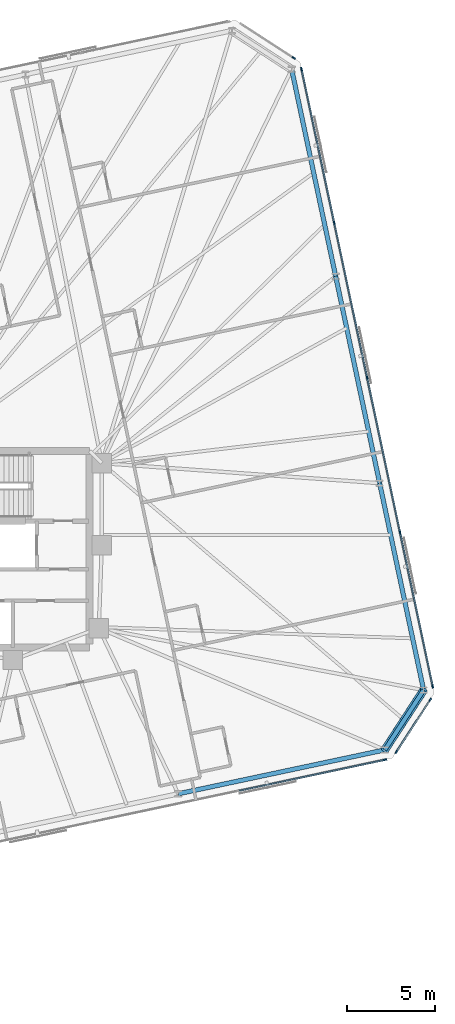
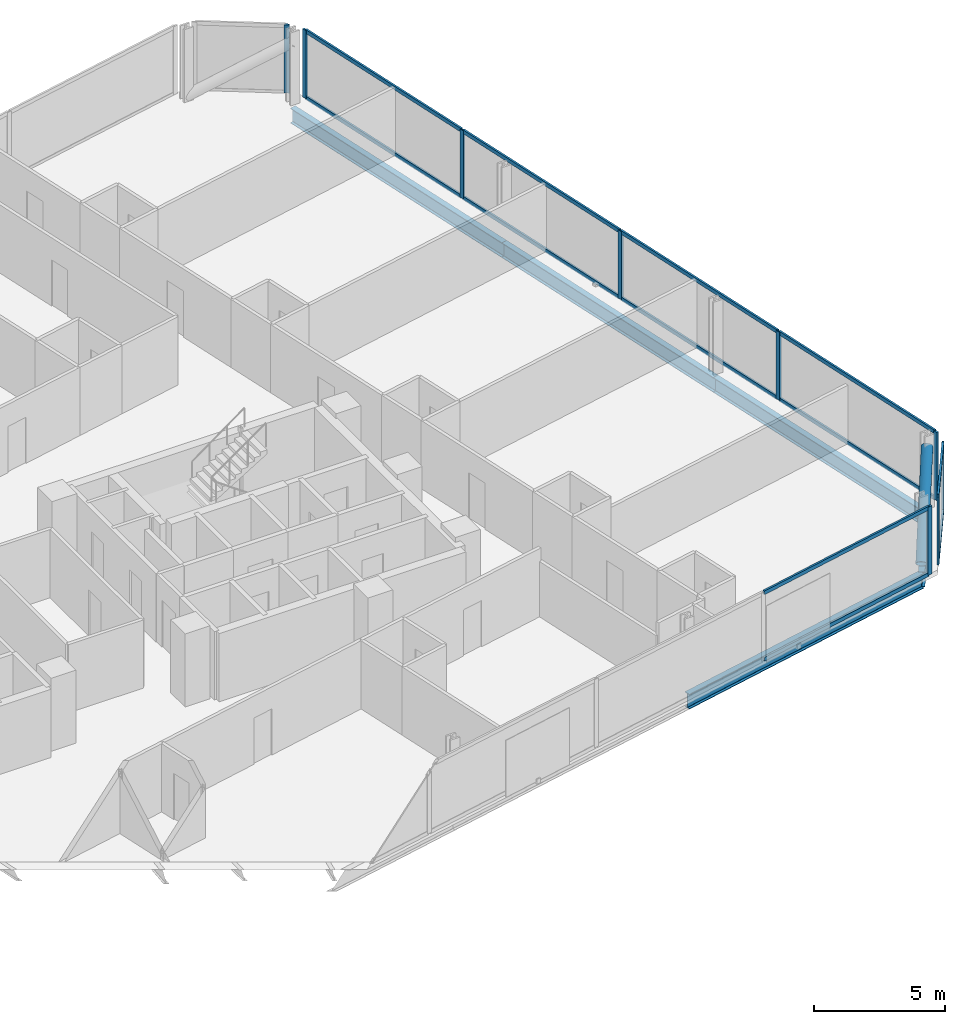
# One storey, part 12 of 19: 22 members, 5 beams, 4 elements without a shape of their own.
"""IFC4 building model written with IfcOpenShell, lengths in metres."""

from ifc_helpers import new_model, si_unit, direction, frame, origin, origin_2d, place, context, subcontext, project, spatial, rectangle, hollow_circle, i_section, extrude, material, material_profile, profile_set, type_object, element, aggregate, save


model = new_model("IFC4")

# Units and contexts
model_context = context("Model", 3, precision=1e-05, world=origin(), true_north=direction((0.0, 1.0)))
body_context = subcontext(model_context, "Body", "Model", "MODEL_VIEW")
ifc_project = project(units=[si_unit("LENGTHUNIT", "METRE"), si_unit("AREAUNIT", "SQUARE_METRE"), si_unit("VOLUMEUNIT", "CUBIC_METRE"), si_unit("PLANEANGLEUNIT", "RADIAN"), si_unit("MASSUNIT", "GRAM", prefix="KILO")], contexts=[model_context])

# Site, building, storey
site_placement = place(None, origin())
site = spatial("IfcSite", under=ifc_project, at=site_placement, CompositionType="ELEMENT")
building_placement = place(site_placement, origin())
building = spatial("IfcBuilding", under=site, at=building_placement, Name="Menara Jurai Vektor", CompositionType="ELEMENT")
storey_placement = place(building_placement, frame((0.0, 0.0, 154.800048828125)))
storey = spatial("IfcBuildingStorey", under=building, at=storey_placement, Name="L39", CompositionType="ELEMENT", Elevation=154.800048828125)

# Curtain wall, member
ifc_material_1 = material(Name="Anodised Pale Aluminium & Low-E Double Glazing", Category="aluminium")
curtain_wall_type = type_object("IfcCurtainWallType", Name="CW-BLK3", PredefinedType="NOTDEFINED", material=ifc_material_1)
curtain_wall_1_placement = place(storey_placement, origin())
curtain_wall_1 = element("IfcCurtainWall", 1, at=curtain_wall_1_placement, inside=storey, type_object=curtain_wall_type, Name="Unitised Curtain Wall L39 F01", PredefinedType="NOTDEFINED")
ifc_material_2 = material(Name="Anodised Pale Aluminium Mullion", Category="aluminium")
ifc_material_profile_1 = material_profile(ifc_material_2, rectangle(XDim=0.0849609375, YDim=0.205078125, at=origin_2d()), Name="ALU MUL 85x205")
ifc_profile_set_1 = profile_set([ifc_material_profile_1], Name="Anodised Pale Aluminium Mullion")
member_type_1 = type_object("IfcMemberType", Name="CW-BLK3-MUL", PredefinedType="MULLION", material=ifc_profile_set_1)
member_1_placement = place(storey_placement, frame((31.392578125, -11.99755859375, 0.0), z_axis=(0.0, 0.0, 1.0), x_axis=(-0.207911344156, 0.978147674419, 0.0)))
member_1 = element("IfcMember", 2, at=member_1_placement, type_object=member_type_1, Name="CW-03 mullion 8", PredefinedType="MULLION", context=body_context, shape_type="SweptSolid", body=[
    extrude(rectangle(XDim=0.0849609375, YDim=0.205078125, at=origin_2d()), origin(), (0.0, 0.0, 1.0), 3.175048828125),
])

# Curtain wall, members
curtain_wall_2_placement = place(storey_placement, origin())
curtain_wall_2 = element("IfcCurtainWall", 3, at=curtain_wall_2_placement, inside=storey, type_object=curtain_wall_type, Name="Unitised Curtain Wall L39 F02", PredefinedType="NOTDEFINED")
member_2_placement = place(storey_placement, frame((32.035888671875, -11.555419921875, 0.0), z_axis=(0.0, 0.0, 1.0), x_axis=(-0.838684361415, 0.544617794346, 0.0)))
member_2 = element("IfcMember", 4, at=member_2_placement, type_object=member_type_1, Name="CW-03 mullion 1", PredefinedType="MULLION", context=body_context, shape_type="SweptSolid", body=[
    extrude(rectangle(XDim=0.0849609375, YDim=0.205078125, at=origin_2d()), origin(), (0.0, 0.0, 1.0), 3.175048828125),
])
member_3_placement = place(storey_placement, frame((33.96337890625, -8.587158203125, 0.0), z_axis=(0.0, 0.0, 1.0), x_axis=(-0.838684361415, 0.544617794346, 0.0)))
member_3 = element("IfcMember", 5, at=member_3_placement, type_object=member_type_1, Name="CW-03 mullion 2", PredefinedType="MULLION", context=body_context, shape_type="SweptSolid", body=[
    extrude(rectangle(XDim=0.0849609375, YDim=0.205078125, at=origin_2d()), origin(), (0.0, 0.0, 1.0), 3.175048828125),
])

curtain_wall_3_placement = place(storey_placement, origin())
curtain_wall_3 = element("IfcCurtainWall", 6, at=curtain_wall_3_placement, inside=storey, type_object=curtain_wall_type, Name="Unitised Curtain Wall L39 F03", PredefinedType="NOTDEFINED")
member_4_placement = place(storey_placement, frame((34.105712890625, -7.819580078125, 0.0), z_axis=(0.0, 0.0, 1.0), x_axis=(-0.978147883949, -0.20791035839, 0.0)))
member_4 = element("IfcMember", 7, at=member_4_placement, type_object=member_type_1, Name="CW-03 mullion 1", PredefinedType="MULLION", context=body_context, shape_type="SweptSolid", body=[
    extrude(rectangle(XDim=0.0849609375, YDim=0.205078125, at=origin_2d()), origin(), (0.0, 0.0, 1.0), 3.175048828125),
])
member_5_placement = place(storey_placement, frame((32.2412109375, 0.951904296875, 0.0), z_axis=(0.0, 0.0, 1.0), x_axis=(-0.978147883949, -0.20791035839, 0.0)))
member_5 = element("IfcMember", 8, at=member_5_placement, type_object=member_type_1, Name="CW-03 mullion 2", PredefinedType="MULLION", context=body_context, shape_type="SweptSolid", body=[
    extrude(rectangle(XDim=0.0849609375, YDim=0.205078125, at=origin_2d()), origin(), (0.0, 0.0, 1.0), 3.175048828125),
])
member_6_placement = place(storey_placement, frame((30.367919921875, 9.76513671875, 0.0), z_axis=(0.0, 0.0, 1.0), x_axis=(-0.978147883949, -0.20791035839, 0.0)))
member_6 = element("IfcMember", 9, at=member_6_placement, type_object=member_type_1, Name="CW-03 mullion 3", PredefinedType="MULLION", context=body_context, shape_type="SweptSolid", body=[
    extrude(rectangle(XDim=0.0849609375, YDim=0.205078125, at=origin_2d()), origin(), (0.0, 0.0, 1.0), 3.175048828125),
])
member_7_placement = place(storey_placement, frame((28.49462890625, 18.578125, 0.0), z_axis=(0.0, 0.0, 1.0), x_axis=(-0.978147883949, -0.20791035839, 0.0)))
member_7 = element("IfcMember", 10, at=member_7_placement, type_object=member_type_1, Name="CW-03 mullion 4", PredefinedType="MULLION", context=body_context, shape_type="SweptSolid", body=[
    extrude(rectangle(XDim=0.0849609375, YDim=0.205078125, at=origin_2d()), origin(), (0.0, 0.0, 1.0), 3.175048828125),
])
member_8_placement = place(storey_placement, frame((26.630126953125, 27.349609375, 0.0), z_axis=(0.0, 0.0, 1.0), x_axis=(-0.978147883949, -0.20791035839, 0.0)))
member_8 = element("IfcMember", 11, at=member_8_placement, type_object=member_type_1, Name="CW-03 mullion 5", PredefinedType="MULLION", context=body_context, shape_type="SweptSolid", body=[
    extrude(rectangle(XDim=0.0849609375, YDim=0.205078125, at=origin_2d()), origin(), (0.0, 0.0, 1.0), 3.175048828125),
])

# Curtain wall, member
curtain_wall_4_placement = place(storey_placement, origin())
curtain_wall_4 = element("IfcCurtainWall", 12, at=curtain_wall_4_placement, inside=storey, type_object=curtain_wall_type, Name="Unitised Curtain Wall L39 F04", PredefinedType="NOTDEFINED")
member_9_placement = place(storey_placement, frame((26.18798828125, 27.9931640625, 0.0), z_axis=(0.0, 0.0, 1.0), x_axis=(-0.544617794346, -0.838684361415, 0.0)))
member_9 = element("IfcMember", 13, at=member_9_placement, type_object=member_type_1, Name="CW-03 mullion 1", PredefinedType="MULLION", context=body_context, shape_type="SweptSolid", body=[
    extrude(rectangle(XDim=0.0849609375, YDim=0.205078125, at=origin_2d()), origin(), (0.0, 0.0, 1.0), 3.175048828125),
])
aggregate(curtain_wall_4, [member_9])

# Member
ifc_material_3 = material(Name="Anodised Pale Aluminium Transom", Category="aluminium")
ifc_material_profile_2 = material_profile(ifc_material_3, rectangle(XDim=0.0849609375, YDim=0.175048828125, at=origin_2d()), Name="ALU TRN 85x175")
ifc_profile_set_2 = profile_set([ifc_material_profile_2], Name="Anodised Pale Aluminium Transom")
member_type_2 = type_object("IfcMemberType", Name="CW-BLK3-TRN", PredefinedType="USERDEFINED", material=ifc_profile_set_2)
member_10_placement = place(storey_placement, frame((23.0859375, -13.76318359375, 0.04248046875), z_axis=(0.978146953428, 0.207914736128, 0.0), x_axis=(-0.207914736128, 0.978146953428, 0.0)))
member_10 = element("IfcMember", 14, at=member_10_placement, type_object=member_type_2, Name="CW-03 transom 7.1", ObjectType="TRANSOM", PredefinedType="USERDEFINED", context=body_context, shape_type="SweptSolid", body=[
    extrude(rectangle(XDim=0.0849609375, YDim=0.175048828125, at=origin_2d()), origin(), (0.0, 0.0, 1.0), 8.44970703125),
])

member_11_placement = place(storey_placement, frame((23.0859375, -13.76318359375, 3.132568359375), z_axis=(0.978146953428, 0.207914736128, 0.0), x_axis=(-0.207914736128, 0.978146953428, 0.0)))
member_11 = element("IfcMember", 15, at=member_11_placement, type_object=member_type_2, Name="CW-03 transom 7.2", ObjectType="TRANSOM", PredefinedType="USERDEFINED", context=body_context, shape_type="SweptSolid", body=[
    extrude(rectangle(XDim=0.0849609375, YDim=0.175048828125, at=origin_2d()), origin(), (0.0, 0.0, 1.0), 8.44970703125),
])

aggregate(curtain_wall_1, [member_1, member_10, member_11])

member_12_placement = place(storey_placement, frame((32.05908203125, -11.519775390625, 0.04248046875), z_axis=(0.54459575764, 0.838698671014, 0.0), x_axis=(-0.838698671014, 0.54459575764, 0.0)))
member_12 = element("IfcMember", 16, at=member_12_placement, type_object=member_type_2, Name="CW-03 transom 1.1", ObjectType="TRANSOM", PredefinedType="USERDEFINED", context=body_context, shape_type="SweptSolid", body=[
    extrude(rectangle(XDim=0.0849609375, YDim=0.175048828125, at=origin_2d()), origin(), (0.0, 0.0, 1.0), 3.4541015625),
])

member_13_placement = place(storey_placement, frame((32.05908203125, -11.519775390625, 3.132568359375), z_axis=(0.54459575764, 0.838698671014, 0.0), x_axis=(-0.838698671014, 0.54459575764, 0.0)))
member_13 = element("IfcMember", 17, at=member_13_placement, type_object=member_type_2, Name="CW-03 transom 1.2", ObjectType="TRANSOM", PredefinedType="USERDEFINED", context=body_context, shape_type="SweptSolid", body=[
    extrude(rectangle(XDim=0.0849609375, YDim=0.175048828125, at=origin_2d()), origin(), (0.0, 0.0, 1.0), 3.4541015625),
])

aggregate(curtain_wall_2, [member_2, member_3, member_12, member_13])

member_14_placement = place(storey_placement, frame((34.096923828125, -7.778076171875, 0.04248046875), z_axis=(-0.207925814542, 0.978144598537, 0.0), x_axis=(-0.978144598537, -0.207925814542, 0.0)))
member_14 = element("IfcMember", 18, at=member_14_placement, type_object=member_type_2, Name="CW-03 transom 1.1", ObjectType="TRANSOM", PredefinedType="USERDEFINED", context=body_context, shape_type="SweptSolid", body=[
    extrude(rectangle(XDim=0.0849609375, YDim=0.175048828125, at=origin_2d()), origin(), (0.0, 0.0, 1.0), 8.882568359375),
])

member_15_placement = place(storey_placement, frame((34.096923828125, -7.778076171875, 3.132568359375), z_axis=(-0.207925814542, 0.978144598537, 0.0), x_axis=(-0.978144598537, -0.207925814542, 0.0)))
member_15 = element("IfcMember", 19, at=member_15_placement, type_object=member_type_2, Name="CW-03 transom 1.2", ObjectType="TRANSOM", PredefinedType="USERDEFINED", context=body_context, shape_type="SweptSolid", body=[
    extrude(rectangle(XDim=0.0849609375, YDim=0.175048828125, at=origin_2d()), origin(), (0.0, 0.0, 1.0), 8.882568359375),
])

member_16_placement = place(storey_placement, frame((32.232421875, 0.993408203125, 0.04248046875), z_axis=(-0.207922224243, 0.978145361726, 0.0), x_axis=(-0.978145361726, -0.207922224243, 0.0)))
member_16 = element("IfcMember", 20, at=member_16_placement, type_object=member_type_2, Name="CW-03 transom 2.1", ObjectType="TRANSOM", PredefinedType="USERDEFINED", context=body_context, shape_type="SweptSolid", body=[
    extrude(rectangle(XDim=0.0849609375, YDim=0.175048828125, at=origin_2d()), origin(), (0.0, 0.0, 1.0), 8.925048828125),
])

member_17_placement = place(storey_placement, frame((32.232421875, 0.993408203125, 3.132568359375), z_axis=(-0.207922224243, 0.978145361726, 0.0), x_axis=(-0.978145361726, -0.207922224243, 0.0)))
member_17 = element("IfcMember", 21, at=member_17_placement, type_object=member_type_2, Name="CW-03 transom 2.2", ObjectType="TRANSOM", PredefinedType="USERDEFINED", context=body_context, shape_type="SweptSolid", body=[
    extrude(rectangle(XDim=0.0849609375, YDim=0.175048828125, at=origin_2d()), origin(), (0.0, 0.0, 1.0), 8.925048828125),
])

member_18_placement = place(storey_placement, frame((30.359130859375, 9.806640625, 0.04248046875), z_axis=(-0.207922224243, 0.978145361726, 0.0), x_axis=(-0.978145361726, -0.207922224243, 0.0)))
member_18 = element("IfcMember", 22, at=member_18_placement, type_object=member_type_2, Name="CW-03 transom 3.1", ObjectType="TRANSOM", PredefinedType="USERDEFINED", context=body_context, shape_type="SweptSolid", body=[
    extrude(rectangle(XDim=0.0849609375, YDim=0.175048828125, at=origin_2d()), origin(), (0.0, 0.0, 1.0), 8.925048828125),
])

member_19_placement = place(storey_placement, frame((30.359130859375, 9.806640625, 3.132568359375), z_axis=(-0.207922224243, 0.978145361726, 0.0), x_axis=(-0.978145361726, -0.207922224243, 0.0)))
member_19 = element("IfcMember", 23, at=member_19_placement, type_object=member_type_2, Name="CW-03 transom 3.2", ObjectType="TRANSOM", PredefinedType="USERDEFINED", context=body_context, shape_type="SweptSolid", body=[
    extrude(rectangle(XDim=0.0849609375, YDim=0.175048828125, at=origin_2d()), origin(), (0.0, 0.0, 1.0), 8.925048828125),
])

member_20_placement = place(storey_placement, frame((28.48583984375, 18.61962890625, 0.04248046875), z_axis=(-0.207899517354, 0.978150188204, 0.0), x_axis=(-0.978150188204, -0.207899517354, 0.0)))
member_20 = element("IfcMember", 24, at=member_20_placement, type_object=member_type_2, Name="CW-03 transom 4.1", ObjectType="TRANSOM", PredefinedType="USERDEFINED", context=body_context, shape_type="SweptSolid", body=[
    extrude(rectangle(XDim=0.0849609375, YDim=0.175048828125, at=origin_2d()), origin(), (0.0, 0.0, 1.0), 8.882568359375),
])

member_21_placement = place(storey_placement, frame((28.48583984375, 18.61962890625, 3.132568359375), z_axis=(-0.207899517354, 0.978150188204, 0.0), x_axis=(-0.978150188204, -0.207899517354, 0.0)))
member_21 = element("IfcMember", 25, at=member_21_placement, type_object=member_type_2, Name="CW-03 transom 4.2", ObjectType="TRANSOM", PredefinedType="USERDEFINED", context=body_context, shape_type="SweptSolid", body=[
    extrude(rectangle(XDim=0.0849609375, YDim=0.175048828125, at=origin_2d()), origin(), (0.0, 0.0, 1.0), 8.882568359375),
])

aggregate(curtain_wall_3, [member_4, member_5, member_6, member_7, member_8, member_14, member_15, member_16, member_17, member_18, member_19, member_20, member_21])

ifc_material_4 = material(Name="Steel S460", Category="steel")
ifc_material_profile_3 = material_profile(ifc_material_4, hollow_circle(Radius=0.228515625, WallThickness=0.01611328125, at=origin_2d()), Name="CHS 457x16")
ifc_profile_set_3 = profile_set([ifc_material_profile_3], Name="Steel S460")
member_type_3 = type_object("IfcMemberType", Name="STR-BR-457", PredefinedType="BRACE", material=ifc_profile_set_3)
member_22_placement = place(storey_placement, frame((31.376220703125, -11.438720703125, 0.14990234375), z_axis=(0.454871874024, 0.700428396616, 0.549992399435), x_axis=(-0.838665998507, 0.544646071268, 0.0)))
element("IfcMember", 26, at=member_22_placement, inside=storey, type_object=member_type_3, Name="Exoskeleton Corner Brace L39-1", PredefinedType="BRACE", context=body_context, shape_type="SweptSolid", body=[
    extrude(hollow_circle(Radius=0.228515625, WallThickness=0.01611328125, at=origin_2d()), origin(), (0.0, 0.0, 1.0), 4.86376953125),
])

# Beams
ifc_material_profile_4 = material_profile(ifc_material_4, i_section(OverallWidth=0.256103515625, OverallDepth=0.693115234375, WebThickness=0.013916015625, FlangeThickness=0.02392578125, FilletRadius=0.014892578125, at=origin_2d()), Name="UKB 686x254x170")
ifc_profile_set_4 = profile_set([ifc_material_profile_4], Name="Steel S460")
beam_type = type_object("IfcBeamType", Name="STR-SP-686", PredefinedType="SPANDREL", material=ifc_profile_set_4)
beam_1_placement = place(storey_placement, frame((19.608154296875, -13.940185546875, -0.571533203125), z_axis=(0.97814616202, 0.207918459318, 0.0), x_axis=(-0.207918459318, 0.97814616202, 0.0)))
element("IfcBeam", 27, at=beam_1_placement, inside=storey, type_object=beam_type, Name="Exoskeleton Spandrel Beam L39-05", PredefinedType="SPANDREL", context=body_context, shape_type="SweptSolid", body=[
    extrude(i_section(OverallWidth=0.256103515625, OverallDepth=0.693115234375, WebThickness=0.013916015625, FlangeThickness=0.02392578125, FilletRadius=0.014892578125, at=origin_2d()), origin(), (0.0, 0.0, 1.0), 12.031005859375),
])
beam_2_placement = place(storey_placement, frame((31.376220703125, -11.438720703125, -0.571533203125), z_axis=(0.544646071268, 0.838665998507, 0.0), x_axis=(-0.838665998507, 0.544646071268, 0.0)))
element("IfcBeam", 28, at=beam_2_placement, inside=storey, type_object=beam_type, Name="Exoskeleton Spandrel Beam L39-06", PredefinedType="SPANDREL", context=body_context, shape_type="SweptSolid", body=[
    extrude(i_section(OverallWidth=0.256103515625, OverallDepth=0.693115234375, WebThickness=0.013916015625, FlangeThickness=0.02392578125, FilletRadius=0.014892578125, at=origin_2d()), origin(), (0.0, 0.0, 1.0), 4.06201171875),
])
beam_3_placement = place(storey_placement, frame((33.588623046875, -8.031982421875, -0.571533203125), z_axis=(-0.207925382659, 0.978144690343, 0.0), x_axis=(-0.978144690343, -0.207925382659, 0.0)))
element("IfcBeam", 29, at=beam_3_placement, inside=storey, type_object=beam_type, Name="Exoskeleton Spandrel Beam L39-07", PredefinedType="SPANDREL", context=body_context, shape_type="SweptSolid", body=[
    extrude(i_section(OverallWidth=0.256103515625, OverallDepth=0.693115234375, WebThickness=0.013916015625, FlangeThickness=0.02392578125, FilletRadius=0.014892578125, at=origin_2d()), origin(), (0.0, 0.0, 1.0), 12.0517578125),
])
for number, where, z_axis, x_axis, name in (
    (30, (31.082763671875, 3.75634765625, -0.571533203125), (-0.207901880993, 0.978149685825, 0.0), (-0.978149685825, -0.207901880993, 0.0), "Exoskeleton Spandrel Beam L39-08"),
    (31, (28.5771484375, 15.544921875, -0.571533203125), (-0.207921262698, 0.978145566119, 0.0), (-0.978145566119, -0.207921262698, 0.0), "Exoskeleton Spandrel Beam L39-09"),
):
    element("IfcBeam", number, at=place(storey_placement, frame(where, z_axis=z_axis, x_axis=x_axis)), inside=storey, type_object=beam_type, Name=name, PredefinedType="SPANDREL", context=body_context, shape_type="SweptSolid", body=[
        extrude(i_section(OverallWidth=0.256103515625, OverallDepth=0.693115234375, WebThickness=0.013916015625, FlangeThickness=0.02392578125, FilletRadius=0.014892578125, at=origin_2d()), origin(), (0.0, 0.0, 1.0), 12.052001953125),
    ])

save(model, "model.ifc")
